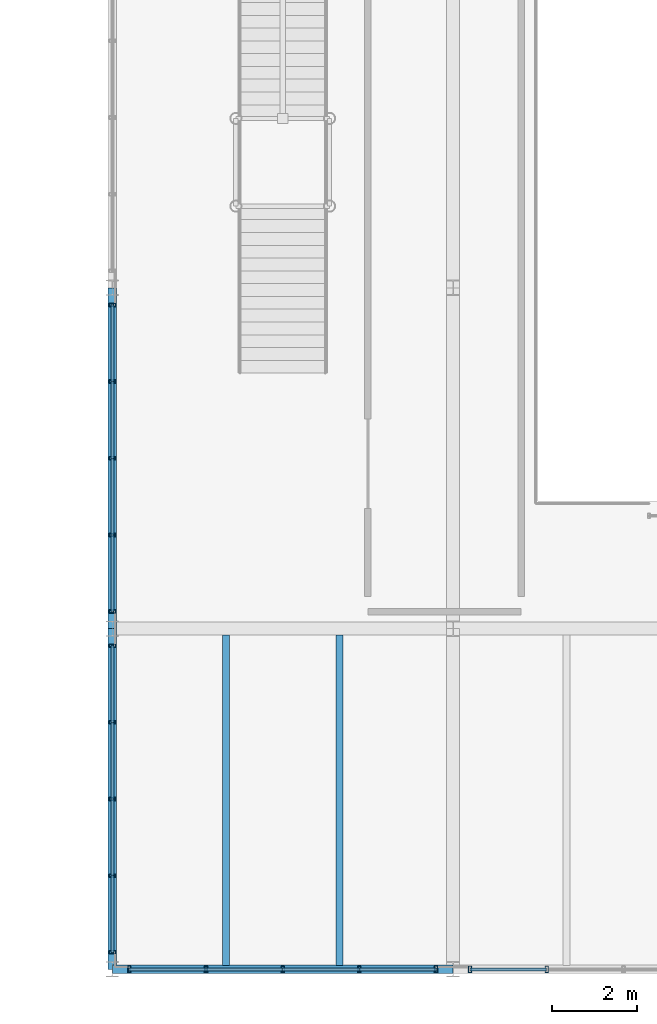
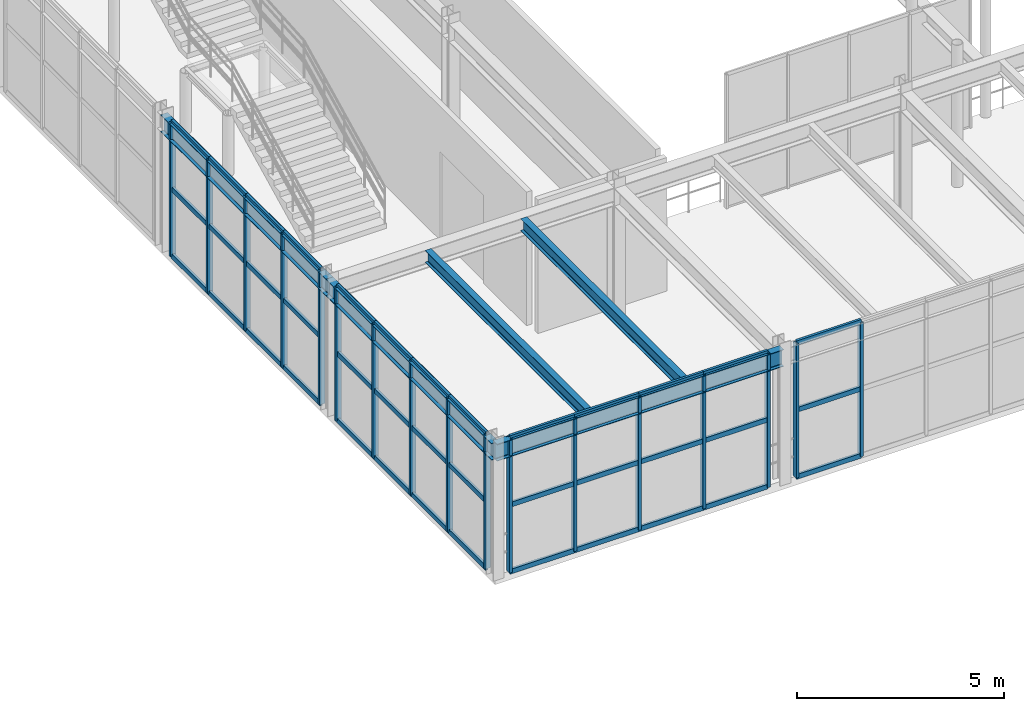
# One storey, part 20 of 122: 56 members, 5 beams, 4 elements without a shape of their own.
"""IFC4 building model written with IfcOpenShell, lengths in metres."""

import ifcopenshell
import ifcopenshell.guid

model = None  # the IFC model being written
_history = None  # IfcOwnerHistory: only IFC2X3 demands one
_inside = {}  # id of a spatial element -> (the spatial element, [elements in it])
_under = {}  # id of a project, library or spatial element -> (it, [spatial elements below it])
_declared = {}  # id of a project -> (the project, [libraries it declares])
_typed = {}  # id of a type object -> (the type object, [elements of that type])
_made_of = {}  # id of a material, layer set ... -> (it, [elements and type objects made of it])


def new_model(schema):
    """Start an empty IFC model of exactly this schema.

    Asked for "IFC4X3", IfcOpenShell would pick the latest addendum, in which some entities
    have other attributes; the version numbers below select the first issue.
    IFC2X3 requires an IfcOwnerHistory on every rooted entity: one is made here for all.
    """
    global model, _history
    if schema == "IFC4X3":
        model = ifcopenshell.file(schema_version=(4, 3, 0, 0))
    else:
        model = ifcopenshell.file(schema=schema)
    _inside.clear()
    _under.clear()
    _declared.clear()
    _typed.clear()
    _made_of.clear()
    _history = None
    if model.schema == "IFC2X3":
        org = make("IfcOrganization", Name="unknown")
        user = make(
            "IfcPersonAndOrganization",
            ThePerson=make("IfcPerson", FamilyName="unknown"),
            TheOrganization=org,
        )
        app = make(
            "IfcApplication",
            ApplicationDeveloper=org,
            Version="unknown",
            ApplicationFullName="unknown",
            ApplicationIdentifier="unknown",
        )
        _history = make(
            "IfcOwnerHistory",
            OwningUser=user,
            OwningApplication=app,
            ChangeAction="ADDED",
            CreationDate=0,
        )
    return model


def make(cls, **values):
    """One entity of the class cls with the attributes given. An attribute that is None is left unset."""
    return model.create_entity(
        cls, **{name: value for name, value in values.items() if value is not None}
    )


def rooted(cls, **values):
    """An entity with a GlobalId (a new one), such as an element, a storey or a relation."""
    return make(cls, GlobalId=ifcopenshell.guid.new(), OwnerHistory=_history, **values)


def si_unit(unit_type, name, prefix=None):
    """IfcSIUnit, for example si_unit("LENGTHUNIT", "METRE", prefix="MILLI")."""
    return make("IfcSIUnit", UnitType=unit_type, Prefix=prefix, Name=name)


def assignment(units):
    """IfcUnitAssignment: the units of a project."""
    return None if units is None else make("IfcUnitAssignment", Units=units)


def point(xyz):
    """IfcCartesianPoint."""
    return None if xyz is None else make("IfcCartesianPoint", Coordinates=xyz)


def direction(xyz):
    """IfcDirection."""
    return None if xyz is None else make("IfcDirection", DirectionRatios=xyz)


def frame(location, z_axis=None, x_axis=None):
    """IfcAxis2Placement3D, a coordinate frame: its origin and axes. An axis left out is left unset."""
    return make(
        "IfcAxis2Placement3D",
        Location=point(location),
        Axis=direction(z_axis),
        RefDirection=direction(x_axis),
    )


def frame_2d(location, x_axis=None):
    """IfcAxis2Placement2D, a coordinate frame in the plane: its origin and x axis."""
    return make(
        "IfcAxis2Placement2D", Location=point(location), RefDirection=direction(x_axis)
    )


def origin():
    """The frame at (0, 0, 0) with its axes left unset."""
    return frame((0.0, 0.0, 0.0))


def origin_2d():
    """The frame at (0, 0) in the plane with its x axis left unset."""
    return frame_2d((0.0, 0.0))


def place(relative_to, where):
    """IfcLocalPlacement: puts the frame where relative to a parent placement (None: the world)."""
    return make(
        "IfcLocalPlacement", PlacementRelTo=relative_to, RelativePlacement=where
    )


def context(
    kind, dimensions, precision=None, world=None, true_north=None, identifier=None
):
    """IfcGeometricRepresentationContext, for example the 3D "Model" context."""
    return make(
        "IfcGeometricRepresentationContext",
        ContextIdentifier=identifier,
        ContextType=kind,
        CoordinateSpaceDimension=dimensions,
        Precision=precision,
        WorldCoordinateSystem=world,
        TrueNorth=true_north,
    )


def subcontext(parent, identifier, kind, view, scale=None):
    """IfcGeometricRepresentationSubContext, for example "Body" below "Model"."""
    return make(
        "IfcGeometricRepresentationSubContext",
        ContextIdentifier=identifier,
        ContextType=kind,
        ParentContext=parent,
        TargetScale=scale,
        TargetView=view,
    )


def project(units=None, contexts=None):
    """IfcProject with its units and contexts."""
    return rooted(
        "IfcProject",
        Name="project",
        RepresentationContexts=contexts,
        UnitsInContext=assignment(units),
    )


def spatial(cls, under=None, at=None, **own):
    """A site, building, storey or space (cls), placed at a placement, below another one or the project."""
    s = rooted(cls, ObjectPlacement=at, **own)
    if under is not None:
        _under.setdefault(under.id(), (under, []))[1].append(s)
    return s


def profile(cls, at=None, kind="AREA", **sizes):
    """A parametric profile (cls). Its sizes go by their IFC names, for example OverallWidth=200.0."""
    return make(cls, ProfileType=kind, Position=at, **sizes)


def hollow_rectangle(**sizes):
    """IfcRectangleHollowProfileDef."""
    return profile("IfcRectangleHollowProfileDef", **sizes)


def i_section(**sizes):
    """IfcIShapeProfileDef."""
    return profile("IfcIShapeProfileDef", **sizes)


def extrude(swept, where, along, depth):
    """IfcExtrudedAreaSolid: the profile swept, set in the frame where, extruded along a direction by depth."""
    return make(
        "IfcExtrudedAreaSolid",
        SweptArea=swept,
        Position=where,
        ExtrudedDirection=direction(along),
        Depth=depth,
    )


def shape(context_of_items, identifier, shape_type, items):
    """IfcShapeRepresentation: the items that make up one representation, for example the "Body"."""
    return make(
        "IfcShapeRepresentation",
        ContextOfItems=context_of_items,
        RepresentationIdentifier=identifier,
        RepresentationType=shape_type,
        Items=items,
    )


def material(Name=None, Category=None):
    """IfcMaterial."""
    return make("IfcMaterial", Name=Name, Category=Category)


def material_profile(
    of_material, cross_section, Name=None, Category=None, Priority=None
):
    """IfcMaterialProfile: a cross section and its material."""
    return make(
        "IfcMaterialProfile",
        Name=Name,
        Material=of_material,
        Profile=cross_section,
        Priority=Priority,
        Category=Category,
    )


def profile_set(profiles, Name=None, composite=None):
    """IfcMaterialProfileSet."""
    return make(
        "IfcMaterialProfileSet",
        Name=Name,
        MaterialProfiles=profiles,
        CompositeProfile=composite,
    )


def made_of(thing, what):
    """Note that an element or type object is made of a material, layer set ...; save() writes the relation."""
    if what is not None:
        _made_of.setdefault(what.id(), (what, []))[1].append(thing)
    return thing


def type_object(cls, material=None, **own):
    """A type object (cls), such as IfcWallType, which elements share."""
    return made_of(rooted(cls, **own), material)


def element(
    cls,
    number,
    at=None,
    inside=None,
    cuts=None,
    type_object=None,
    material=None,
    context=None,
    identifier="Body",
    shape_type=None,
    held_by="IfcProductDefinitionShape",
    body=None,
    shapes=None,
    **own,
):
    """One element of the class cls, such as IfcWall. Its Tag is "e" and its number.

    at: its placement. inside: the storey or other place that contains it. cuts: it is an
    opening in that element (IfcRelVoidsElement). A single representation is given by context,
    identifier, shape_type and body (its items); several are given by shapes. held_by: the class
    of the entity that holds the representations. save() writes the other relations.
    """
    e = rooted(cls, Tag="e%d" % number, ObjectPlacement=at, **own)
    if body is not None:
        shapes = [shape(context, identifier, shape_type, body)]
    if shapes is not None:
        e.Representation = make(held_by, Representations=shapes)
    if inside is not None:
        _inside.setdefault(inside.id(), (inside, []))[1].append(e)
    if cuts is not None:
        rooted(
            "IfcRelVoidsElement", RelatingBuildingElement=cuts, RelatedOpeningElement=e
        )
    if type_object is not None:
        _typed.setdefault(type_object.id(), (type_object, []))[1].append(e)
    return made_of(e, material)


def aggregate(whole, parts):
    """IfcRelAggregates: a whole, such as a stair, and the parts it consists of."""
    return rooted("IfcRelAggregates", RelatingObject=whole, RelatedObjects=parts)


def save(model, path):
    """Write the relations noted so far, then the file.

    IfcRelAggregates (storeys below a building ...), IfcRelContainedInSpatialStructure (elements
    in a storey), IfcRelDefinesByType, IfcRelAssociatesMaterial and IfcRelDeclares: one each for
    every whole, place, type object, material and project.
    """
    for whole, parts in _under.values():
        aggregate(whole, parts)
    for where, things in _inside.values():
        rooted(
            "IfcRelContainedInSpatialStructure",
            RelatedElements=things,
            RelatingStructure=where,
        )
    for kind, things in _typed.values():
        rooted("IfcRelDefinesByType", RelatedObjects=things, RelatingType=kind)
    for what, things in _made_of.values():
        rooted("IfcRelAssociatesMaterial", RelatedObjects=things, RelatingMaterial=what)
    for by, libraries in _declared.values():
        rooted("IfcRelDeclares", RelatingContext=by, RelatedDefinitions=libraries)
    model.write(path)


model = new_model("IFC4")

# Units and contexts
model_context = context("Model", 3, precision=1e-05, world=origin(), true_north=direction((0.0, 1.0)))
body_context = subcontext(model_context, "Body", "Model", "MODEL_VIEW")
ifc_project = project(units=[si_unit("LENGTHUNIT", "METRE"), si_unit("AREAUNIT", "SQUARE_METRE"), si_unit("VOLUMEUNIT", "CUBIC_METRE"), si_unit("PLANEANGLEUNIT", "RADIAN"), si_unit("MASSUNIT", "GRAM", prefix="KILO")], contexts=[model_context])

# Site, building, storey
site_placement = place(None, origin())
site = spatial("IfcSite", under=ifc_project, at=site_placement, CompositionType="ELEMENT")
building_placement = place(site_placement, origin())
building = spatial("IfcBuilding", under=site, at=building_placement, Name="Sundkrona Museum", CompositionType="ELEMENT")
storey_placement = place(building_placement, frame((0.0, 0.0, 5.39990234375)))
storey = spatial("IfcBuildingStorey", under=building, at=storey_placement, Name="L01", CompositionType="ELEMENT", Elevation=5.39990234375)

# Beams
ifc_material_1 = material(Name="Steel S355J2", Category="steel")
ifc_material_profile_1 = material_profile(ifc_material_1, i_section(OverallWidth=0.169921875, OverallDepth=0.360107421875, WebThickness=0.008056640625, FlangeThickness=0.0126953125, FilletRadius=0.01806640625, at=origin_2d()), Name="IPE 360")
ifc_profile_set_1 = profile_set([ifc_material_profile_1], Name="Steel S355J2")
beam_type_1 = type_object("IfcBeamType", Name="J-IPE360", PredefinedType="JOIST", material=ifc_profile_set_1)
for number, where, z_axis, x_axis, name in (
    (1, (82.666748046875, 0.093994140625, 3.760009765625), (0.0, 1.0, 0.0), (-1.0, 0.0, 0.0), "L01 Composite Joist 0633"),
    (2, (85.333251953125, 0.093994140625, 3.760009765625), (0.0, 1.0, 0.0), (-1.0, 0.0, 0.0), "L01 Composite Joist 0634"),
):
    element("IfcBeam", number, at=place(storey_placement, frame(where, z_axis=z_axis, x_axis=x_axis)), inside=storey, type_object=beam_type_1, Name=name, PredefinedType="JOIST", context=body_context, shape_type="SweptSolid", body=[
        extrude(i_section(OverallWidth=0.169921875, OverallDepth=0.360107421875, WebThickness=0.008056640625, FlangeThickness=0.0126953125, FilletRadius=0.01806640625, at=origin_2d()), origin(), (0.0, 0.0, 1.0), 7.761962890625),
    ])

# Curtain wall, members
ifc_material_2 = material(Name="Unitised Aluminium-Steel and Ceramic-Clad Curtain Walling", Category="steel")
curtain_wall_type = type_object("IfcCurtainWallType", Name="CW-AT-72x38", PredefinedType="NOTDEFINED", material=ifc_material_2)
curtain_wall_1_placement = place(storey_placement, origin())
curtain_wall_1 = element("IfcCurtainWall", 3, at=curtain_wall_1_placement, inside=storey, type_object=curtain_wall_type, Name="L01 Curtain Wall CW-L01-028", PredefinedType="NOTDEFINED")
ifc_material_3 = material(Name="Aluminium EN AW-6060 T66", Category="aluminium")
ifc_material_profile_2 = material_profile(ifc_material_3, hollow_rectangle(XDim=0.074951171875, YDim=0.14990234375, WallThickness=0.00634765625, at=origin_2d()), Name="RHS 150x75x6.3")
ifc_profile_set_2 = profile_set([ifc_material_profile_2], Name="Aluminium EN AW-6060 T66")
member_type_1 = type_object("IfcMemberType", Name="ML-150", PredefinedType="MULLION", material=ifc_profile_set_2)
member_1_placement = place(storey_placement, frame((80.39990234375, 0.0, -0.00390625), z_axis=(0.0, 0.0, 1.0), x_axis=(1.0, 0.0, 0.0)))
member_1 = element("IfcMember", 4, at=member_1_placement, type_object=member_type_1, Name="CW-L01-028 Mullion 01", PredefinedType="MULLION", context=body_context, shape_type="SweptSolid", body=[
    extrude(hollow_rectangle(XDim=0.074951171875, YDim=0.14990234375, WallThickness=0.00634765625, at=origin_2d()), origin(), (0.0, 0.0, 1.0), 3.947998046875),
])
member_2_placement = place(storey_placement, frame((82.199951171875, 0.0, -0.00390625), z_axis=(0.0, 0.0, 1.0), x_axis=(1.0, 0.0, 0.0)))
member_2 = element("IfcMember", 5, at=member_2_placement, type_object=member_type_1, Name="CW-L01-028 Mullion 02", PredefinedType="MULLION", context=body_context, shape_type="SweptSolid", body=[
    extrude(hollow_rectangle(XDim=0.074951171875, YDim=0.14990234375, WallThickness=0.00634765625, at=origin_2d()), origin(), (0.0, 0.0, 1.0), 3.947998046875),
])
member_3_placement = place(storey_placement, frame((84.0, 0.0, -0.00390625), z_axis=(0.0, 0.0, 1.0), x_axis=(1.0, 0.0, 0.0)))
member_3 = element("IfcMember", 6, at=member_3_placement, type_object=member_type_1, Name="CW-L01-028 Mullion 03", PredefinedType="MULLION", context=body_context, shape_type="SweptSolid", body=[
    extrude(hollow_rectangle(XDim=0.074951171875, YDim=0.14990234375, WallThickness=0.00634765625, at=origin_2d()), origin(), (0.0, 0.0, 1.0), 3.947998046875),
])
member_4_placement = place(storey_placement, frame((85.800048828125, 0.0, -0.00390625), z_axis=(0.0, 0.0, 1.0), x_axis=(1.0, 0.0, 0.0)))
member_4 = element("IfcMember", 7, at=member_4_placement, type_object=member_type_1, Name="CW-L01-028 Mullion 04", PredefinedType="MULLION", context=body_context, shape_type="SweptSolid", body=[
    extrude(hollow_rectangle(XDim=0.074951171875, YDim=0.14990234375, WallThickness=0.00634765625, at=origin_2d()), origin(), (0.0, 0.0, 1.0), 3.947998046875),
])
member_5_placement = place(storey_placement, frame((87.60009765625, 0.0, -0.00390625), z_axis=(0.0, 0.0, 1.0), x_axis=(1.0, 0.0, 0.0)))
member_5 = element("IfcMember", 8, at=member_5_placement, type_object=member_type_1, Name="CW-L01-028 Mullion 05", PredefinedType="MULLION", context=body_context, shape_type="SweptSolid", body=[
    extrude(hollow_rectangle(XDim=0.074951171875, YDim=0.14990234375, WallThickness=0.00634765625, at=origin_2d()), origin(), (0.0, 0.0, 1.0), 3.947998046875),
])

curtain_wall_2_placement = place(storey_placement, origin())
curtain_wall_2 = element("IfcCurtainWall", 9, at=curtain_wall_2_placement, inside=storey, type_object=curtain_wall_type, Name="L01 Curtain Wall CW-L01-029", PredefinedType="NOTDEFINED")
member_6_placement = place(storey_placement, frame((88.39990234375, 0.0, -0.00390625), z_axis=(0.0, 0.0, 1.0), x_axis=(1.0, 0.0, 0.0)))
member_6 = element("IfcMember", 10, at=member_6_placement, type_object=member_type_1, Name="CW-L01-029 Mullion 01", PredefinedType="MULLION", context=body_context, shape_type="SweptSolid", body=[
    extrude(hollow_rectangle(XDim=0.074951171875, YDim=0.14990234375, WallThickness=0.00634765625, at=origin_2d()), origin(), (0.0, 0.0, 1.0), 3.947998046875),
])
member_7_placement = place(storey_placement, frame((90.199951171875, 0.0, -0.00390625), z_axis=(0.0, 0.0, 1.0), x_axis=(1.0, 0.0, 0.0)))
member_7 = element("IfcMember", 11, at=member_7_placement, type_object=member_type_1, Name="CW-L01-029 Mullion 02", PredefinedType="MULLION", context=body_context, shape_type="SweptSolid", body=[
    extrude(hollow_rectangle(XDim=0.074951171875, YDim=0.14990234375, WallThickness=0.00634765625, at=origin_2d()), origin(), (0.0, 0.0, 1.0), 3.947998046875),
])

curtain_wall_3_placement = place(storey_placement, origin())
curtain_wall_3 = element("IfcCurtainWall", 12, at=curtain_wall_3_placement, inside=storey, type_object=curtain_wall_type, Name="L01 Curtain Wall CW-L01-033", PredefinedType="NOTDEFINED")
member_8_placement = place(storey_placement, frame((80.0, 0.39990234375, -0.00390625), z_axis=(0.0, 0.0, 1.0), x_axis=(0.0, 1.0, 0.0)))
member_8 = element("IfcMember", 13, at=member_8_placement, type_object=member_type_1, Name="CW-L01-033 Mullion 01", PredefinedType="MULLION", context=body_context, shape_type="SweptSolid", body=[
    extrude(hollow_rectangle(XDim=0.074951171875, YDim=0.14990234375, WallThickness=0.00634765625, at=origin_2d()), origin(), (0.0, 0.0, 1.0), 3.947998046875),
])
member_9_placement = place(storey_placement, frame((80.0, 2.199951171875, -0.00390625), z_axis=(0.0, 0.0, 1.0), x_axis=(0.0, 1.0, 0.0)))
member_9 = element("IfcMember", 14, at=member_9_placement, type_object=member_type_1, Name="CW-L01-033 Mullion 02", PredefinedType="MULLION", context=body_context, shape_type="SweptSolid", body=[
    extrude(hollow_rectangle(XDim=0.074951171875, YDim=0.14990234375, WallThickness=0.00634765625, at=origin_2d()), origin(), (0.0, 0.0, 1.0), 3.947998046875),
])
member_10_placement = place(storey_placement, frame((80.0, 4.0, -0.00390625), z_axis=(0.0, 0.0, 1.0), x_axis=(0.0, 1.0, 0.0)))
member_10 = element("IfcMember", 15, at=member_10_placement, type_object=member_type_1, Name="CW-L01-033 Mullion 03", PredefinedType="MULLION", context=body_context, shape_type="SweptSolid", body=[
    extrude(hollow_rectangle(XDim=0.074951171875, YDim=0.14990234375, WallThickness=0.00634765625, at=origin_2d()), origin(), (0.0, 0.0, 1.0), 3.947998046875),
])
member_11_placement = place(storey_placement, frame((80.0, 5.800048828125, -0.00390625), z_axis=(0.0, 0.0, 1.0), x_axis=(0.0, 1.0, 0.0)))
member_11 = element("IfcMember", 16, at=member_11_placement, type_object=member_type_1, Name="CW-L01-033 Mullion 04", PredefinedType="MULLION", context=body_context, shape_type="SweptSolid", body=[
    extrude(hollow_rectangle(XDim=0.074951171875, YDim=0.14990234375, WallThickness=0.00634765625, at=origin_2d()), origin(), (0.0, 0.0, 1.0), 3.947998046875),
])
member_12_placement = place(storey_placement, frame((80.0, 7.60009765625, -0.00390625), z_axis=(0.0, 0.0, 1.0), x_axis=(0.0, 1.0, 0.0)))
member_12 = element("IfcMember", 17, at=member_12_placement, type_object=member_type_1, Name="CW-L01-033 Mullion 05", PredefinedType="MULLION", context=body_context, shape_type="SweptSolid", body=[
    extrude(hollow_rectangle(XDim=0.074951171875, YDim=0.14990234375, WallThickness=0.00634765625, at=origin_2d()), origin(), (0.0, 0.0, 1.0), 3.947998046875),
])

curtain_wall_4_placement = place(storey_placement, origin())
curtain_wall_4 = element("IfcCurtainWall", 18, at=curtain_wall_4_placement, inside=storey, type_object=curtain_wall_type, Name="L01 Curtain Wall CW-L01-034", PredefinedType="NOTDEFINED")
member_13_placement = place(storey_placement, frame((80.0, 8.39990234375, -0.00390625), z_axis=(0.0, 0.0, 1.0), x_axis=(0.0, 1.0, 0.0)))
member_13 = element("IfcMember", 19, at=member_13_placement, type_object=member_type_1, Name="CW-L01-034 Mullion 01", PredefinedType="MULLION", context=body_context, shape_type="SweptSolid", body=[
    extrude(hollow_rectangle(XDim=0.074951171875, YDim=0.14990234375, WallThickness=0.00634765625, at=origin_2d()), origin(), (0.0, 0.0, 1.0), 3.947998046875),
])
member_14_placement = place(storey_placement, frame((80.0, 10.199951171875, -0.00390625), z_axis=(0.0, 0.0, 1.0), x_axis=(0.0, 1.0, 0.0)))
member_14 = element("IfcMember", 20, at=member_14_placement, type_object=member_type_1, Name="CW-L01-034 Mullion 02", PredefinedType="MULLION", context=body_context, shape_type="SweptSolid", body=[
    extrude(hollow_rectangle(XDim=0.074951171875, YDim=0.14990234375, WallThickness=0.00634765625, at=origin_2d()), origin(), (0.0, 0.0, 1.0), 3.947998046875),
])
member_15_placement = place(storey_placement, frame((80.0, 12.0, -0.00390625), z_axis=(0.0, 0.0, 1.0), x_axis=(0.0, 1.0, 0.0)))
member_15 = element("IfcMember", 21, at=member_15_placement, type_object=member_type_1, Name="CW-L01-034 Mullion 03", PredefinedType="MULLION", context=body_context, shape_type="SweptSolid", body=[
    extrude(hollow_rectangle(XDim=0.074951171875, YDim=0.14990234375, WallThickness=0.00634765625, at=origin_2d()), origin(), (0.0, 0.0, 1.0), 3.947998046875),
])
member_16_placement = place(storey_placement, frame((80.0, 13.800048828125, -0.00390625), z_axis=(0.0, 0.0, 1.0), x_axis=(0.0, 1.0, 0.0)))
member_16 = element("IfcMember", 22, at=member_16_placement, type_object=member_type_1, Name="CW-L01-034 Mullion 04", PredefinedType="MULLION", context=body_context, shape_type="SweptSolid", body=[
    extrude(hollow_rectangle(XDim=0.074951171875, YDim=0.14990234375, WallThickness=0.00634765625, at=origin_2d()), origin(), (0.0, 0.0, 1.0), 3.947998046875),
])
member_17_placement = place(storey_placement, frame((80.0, 15.60009765625, -0.00390625), z_axis=(0.0, 0.0, 1.0), x_axis=(0.0, 1.0, 0.0)))
member_17 = element("IfcMember", 23, at=member_17_placement, type_object=member_type_1, Name="CW-L01-034 Mullion 05", PredefinedType="MULLION", context=body_context, shape_type="SweptSolid", body=[
    extrude(hollow_rectangle(XDim=0.074951171875, YDim=0.14990234375, WallThickness=0.00634765625, at=origin_2d()), origin(), (0.0, 0.0, 1.0), 3.947998046875),
])

# Beams
ifc_material_profile_3 = material_profile(ifc_material_1, i_section(OverallWidth=0.199951171875, OverallDepth=0.5, WebThickness=0.01025390625, FlangeThickness=0.01611328125, FilletRadius=0.02099609375, at=origin_2d()), Name="IPE 500")
ifc_profile_set_3 = profile_set([ifc_material_profile_3], Name="Steel S355J2")
beam_type_2 = type_object("IfcBeamType", Name="SP-IPE500", PredefinedType="SPANDREL", material=ifc_profile_set_3)
for number, where, z_axis, x_axis, name in (
    (24, (80.0, 0.0, 3.690185546875), (1.0, 0.0, 0.0), (0.0, 1.0, 0.0), "L01 Girder X-0808"),
    (25, (80.0, 0.0, 3.690185546875), (0.0, 1.0, 0.0), (-1.0, 0.0, 0.0), "L01 Girder Y-1009"),
    (26, (80.0, 8.0, 3.690185546875), (0.0, 1.0, 0.0), (-1.0, 0.0, 0.0), "L01 Girder Y-1010"),
):
    element("IfcBeam", number, at=place(storey_placement, frame(where, z_axis=z_axis, x_axis=x_axis)), inside=storey, type_object=beam_type_2, Name=name, PredefinedType="SPANDREL", context=body_context, shape_type="SweptSolid", body=[
        extrude(i_section(OverallWidth=0.199951171875, OverallDepth=0.5, WebThickness=0.01025390625, FlangeThickness=0.01611328125, FilletRadius=0.02099609375, at=origin_2d()), origin(), (0.0, 0.0, 1.0), 8.0),
    ])

# Member
ifc_material_profile_4 = material_profile(ifc_material_3, hollow_rectangle(XDim=0.070068359375, YDim=0.139892578125, WallThickness=0.0048828125, at=origin_2d()), Name="RHS 140x70x5.0")
ifc_profile_set_4 = profile_set([ifc_material_profile_4], Name="Aluminium EN AW-6060 T66")
member_type_2 = type_object("IfcMemberType", Name="TR-140", PredefinedType="USERDEFINED", material=ifc_profile_set_4)
member_18_placement = place(storey_placement, frame((80.39990234375, 0.0, -0.00390625), z_axis=(1.0, 0.0, 0.0), x_axis=(0.0, 1.0, 0.0)))
member_18 = element("IfcMember", 27, at=member_18_placement, type_object=member_type_2, Name="CW-L01-028 Transom 01", ObjectType="TRANSOM", PredefinedType="USERDEFINED", context=body_context, shape_type="SweptSolid", body=[
    extrude(hollow_rectangle(XDim=0.070068359375, YDim=0.139892578125, WallThickness=0.0048828125, at=origin_2d()), origin(), (0.0, 0.0, 1.0), 1.800048828125),
])

member_19_placement = place(storey_placement, frame((80.39990234375, 0.0, 1.97021484375), z_axis=(1.0, 0.0, 0.0), x_axis=(0.0, 1.0, 0.0)))
member_19 = element("IfcMember", 28, at=member_19_placement, type_object=member_type_2, Name="CW-L01-028 Transom 02", ObjectType="TRANSOM", PredefinedType="USERDEFINED", context=body_context, shape_type="SweptSolid", body=[
    extrude(hollow_rectangle(XDim=0.070068359375, YDim=0.139892578125, WallThickness=0.0048828125, at=origin_2d()), origin(), (0.0, 0.0, 1.0), 1.800048828125),
])

member_20_placement = place(storey_placement, frame((80.39990234375, 0.0, 3.944091796875), z_axis=(1.0, 0.0, 0.0), x_axis=(0.0, 1.0, 0.0)))
member_20 = element("IfcMember", 29, at=member_20_placement, type_object=member_type_2, Name="CW-L01-028 Transom 03", ObjectType="TRANSOM", PredefinedType="USERDEFINED", context=body_context, shape_type="SweptSolid", body=[
    extrude(hollow_rectangle(XDim=0.070068359375, YDim=0.139892578125, WallThickness=0.0048828125, at=origin_2d()), origin(), (0.0, 0.0, 1.0), 1.800048828125),
])

member_21_placement = place(storey_placement, frame((82.199951171875, 0.0, -0.00390625), z_axis=(1.0, 0.0, 0.0), x_axis=(0.0, 1.0, 0.0)))
member_21 = element("IfcMember", 30, at=member_21_placement, type_object=member_type_2, Name="CW-L01-028 Transom 04", ObjectType="TRANSOM", PredefinedType="USERDEFINED", context=body_context, shape_type="SweptSolid", body=[
    extrude(hollow_rectangle(XDim=0.070068359375, YDim=0.139892578125, WallThickness=0.0048828125, at=origin_2d()), origin(), (0.0, 0.0, 1.0), 1.800048828125),
])

member_22_placement = place(storey_placement, frame((82.199951171875, 0.0, 1.97021484375), z_axis=(1.0, 0.0, 0.0), x_axis=(0.0, 1.0, 0.0)))
member_22 = element("IfcMember", 31, at=member_22_placement, type_object=member_type_2, Name="CW-L01-028 Transom 05", ObjectType="TRANSOM", PredefinedType="USERDEFINED", context=body_context, shape_type="SweptSolid", body=[
    extrude(hollow_rectangle(XDim=0.070068359375, YDim=0.139892578125, WallThickness=0.0048828125, at=origin_2d()), origin(), (0.0, 0.0, 1.0), 1.800048828125),
])

member_23_placement = place(storey_placement, frame((82.199951171875, 0.0, 3.944091796875), z_axis=(1.0, 0.0, 0.0), x_axis=(0.0, 1.0, 0.0)))
member_23 = element("IfcMember", 32, at=member_23_placement, type_object=member_type_2, Name="CW-L01-028 Transom 06", ObjectType="TRANSOM", PredefinedType="USERDEFINED", context=body_context, shape_type="SweptSolid", body=[
    extrude(hollow_rectangle(XDim=0.070068359375, YDim=0.139892578125, WallThickness=0.0048828125, at=origin_2d()), origin(), (0.0, 0.0, 1.0), 1.800048828125),
])

member_24_placement = place(storey_placement, frame((84.0, 0.0, -0.00390625), z_axis=(1.0, 0.0, 0.0), x_axis=(0.0, 1.0, 0.0)))
member_24 = element("IfcMember", 33, at=member_24_placement, type_object=member_type_2, Name="CW-L01-028 Transom 07", ObjectType="TRANSOM", PredefinedType="USERDEFINED", context=body_context, shape_type="SweptSolid", body=[
    extrude(hollow_rectangle(XDim=0.070068359375, YDim=0.139892578125, WallThickness=0.0048828125, at=origin_2d()), origin(), (0.0, 0.0, 1.0), 1.800048828125),
])

member_25_placement = place(storey_placement, frame((84.0, 0.0, 1.97021484375), z_axis=(1.0, 0.0, 0.0), x_axis=(0.0, 1.0, 0.0)))
member_25 = element("IfcMember", 34, at=member_25_placement, type_object=member_type_2, Name="CW-L01-028 Transom 08", ObjectType="TRANSOM", PredefinedType="USERDEFINED", context=body_context, shape_type="SweptSolid", body=[
    extrude(hollow_rectangle(XDim=0.070068359375, YDim=0.139892578125, WallThickness=0.0048828125, at=origin_2d()), origin(), (0.0, 0.0, 1.0), 1.800048828125),
])

member_26_placement = place(storey_placement, frame((84.0, 0.0, 3.944091796875), z_axis=(1.0, 0.0, 0.0), x_axis=(0.0, 1.0, 0.0)))
member_26 = element("IfcMember", 35, at=member_26_placement, type_object=member_type_2, Name="CW-L01-028 Transom 09", ObjectType="TRANSOM", PredefinedType="USERDEFINED", context=body_context, shape_type="SweptSolid", body=[
    extrude(hollow_rectangle(XDim=0.070068359375, YDim=0.139892578125, WallThickness=0.0048828125, at=origin_2d()), origin(), (0.0, 0.0, 1.0), 1.800048828125),
])

member_27_placement = place(storey_placement, frame((85.800048828125, 0.0, -0.00390625), z_axis=(1.0, 0.0, 0.0), x_axis=(0.0, 1.0, 0.0)))
member_27 = element("IfcMember", 36, at=member_27_placement, type_object=member_type_2, Name="CW-L01-028 Transom 10", ObjectType="TRANSOM", PredefinedType="USERDEFINED", context=body_context, shape_type="SweptSolid", body=[
    extrude(hollow_rectangle(XDim=0.070068359375, YDim=0.139892578125, WallThickness=0.0048828125, at=origin_2d()), origin(), (0.0, 0.0, 1.0), 1.800048828125),
])

member_28_placement = place(storey_placement, frame((85.800048828125, 0.0, 1.97021484375), z_axis=(1.0, 0.0, 0.0), x_axis=(0.0, 1.0, 0.0)))
member_28 = element("IfcMember", 37, at=member_28_placement, type_object=member_type_2, Name="CW-L01-028 Transom 11", ObjectType="TRANSOM", PredefinedType="USERDEFINED", context=body_context, shape_type="SweptSolid", body=[
    extrude(hollow_rectangle(XDim=0.070068359375, YDim=0.139892578125, WallThickness=0.0048828125, at=origin_2d()), origin(), (0.0, 0.0, 1.0), 1.800048828125),
])

member_29_placement = place(storey_placement, frame((85.800048828125, 0.0, 3.944091796875), z_axis=(1.0, 0.0, 0.0), x_axis=(0.0, 1.0, 0.0)))
member_29 = element("IfcMember", 38, at=member_29_placement, type_object=member_type_2, Name="CW-L01-028 Transom 12", ObjectType="TRANSOM", PredefinedType="USERDEFINED", context=body_context, shape_type="SweptSolid", body=[
    extrude(hollow_rectangle(XDim=0.070068359375, YDim=0.139892578125, WallThickness=0.0048828125, at=origin_2d()), origin(), (0.0, 0.0, 1.0), 1.800048828125),
])

aggregate(curtain_wall_1, [member_1, member_2, member_3, member_4, member_5, member_18, member_19, member_20, member_21, member_22, member_23, member_24, member_25, member_26, member_27, member_28, member_29])

member_30_placement = place(storey_placement, frame((88.39990234375, 0.0, -0.00390625), z_axis=(1.0, 0.0, 0.0), x_axis=(0.0, 1.0, 0.0)))
member_30 = element("IfcMember", 39, at=member_30_placement, type_object=member_type_2, Name="CW-L01-029 Transom 01", ObjectType="TRANSOM", PredefinedType="USERDEFINED", context=body_context, shape_type="SweptSolid", body=[
    extrude(hollow_rectangle(XDim=0.070068359375, YDim=0.139892578125, WallThickness=0.0048828125, at=origin_2d()), origin(), (0.0, 0.0, 1.0), 1.800048828125),
])

member_31_placement = place(storey_placement, frame((88.39990234375, 0.0, 1.97021484375), z_axis=(1.0, 0.0, 0.0), x_axis=(0.0, 1.0, 0.0)))
member_31 = element("IfcMember", 40, at=member_31_placement, type_object=member_type_2, Name="CW-L01-029 Transom 02", ObjectType="TRANSOM", PredefinedType="USERDEFINED", context=body_context, shape_type="SweptSolid", body=[
    extrude(hollow_rectangle(XDim=0.070068359375, YDim=0.139892578125, WallThickness=0.0048828125, at=origin_2d()), origin(), (0.0, 0.0, 1.0), 1.800048828125),
])

member_32_placement = place(storey_placement, frame((88.39990234375, 0.0, 3.944091796875), z_axis=(1.0, 0.0, 0.0), x_axis=(0.0, 1.0, 0.0)))
member_32 = element("IfcMember", 41, at=member_32_placement, type_object=member_type_2, Name="CW-L01-029 Transom 03", ObjectType="TRANSOM", PredefinedType="USERDEFINED", context=body_context, shape_type="SweptSolid", body=[
    extrude(hollow_rectangle(XDim=0.070068359375, YDim=0.139892578125, WallThickness=0.0048828125, at=origin_2d()), origin(), (0.0, 0.0, 1.0), 1.800048828125),
])

aggregate(curtain_wall_2, [member_6, member_7, member_30, member_31, member_32])

member_33_placement = place(storey_placement, frame((80.0, 0.39990234375, -0.00390625), z_axis=(0.0, 1.0, 0.0), x_axis=(-1.0, 0.0, 0.0)))
member_33 = element("IfcMember", 42, at=member_33_placement, type_object=member_type_2, Name="CW-L01-033 Transom 01", ObjectType="TRANSOM", PredefinedType="USERDEFINED", context=body_context, shape_type="SweptSolid", body=[
    extrude(hollow_rectangle(XDim=0.070068359375, YDim=0.139892578125, WallThickness=0.0048828125, at=origin_2d()), origin(), (0.0, 0.0, 1.0), 1.800048828125),
])

member_34_placement = place(storey_placement, frame((80.0, 0.39990234375, 1.97021484375), z_axis=(0.0, 1.0, 0.0), x_axis=(-1.0, 0.0, 0.0)))
member_34 = element("IfcMember", 43, at=member_34_placement, type_object=member_type_2, Name="CW-L01-033 Transom 02", ObjectType="TRANSOM", PredefinedType="USERDEFINED", context=body_context, shape_type="SweptSolid", body=[
    extrude(hollow_rectangle(XDim=0.070068359375, YDim=0.139892578125, WallThickness=0.0048828125, at=origin_2d()), origin(), (0.0, 0.0, 1.0), 1.800048828125),
])

member_35_placement = place(storey_placement, frame((80.0, 0.39990234375, 3.944091796875), z_axis=(0.0, 1.0, 0.0), x_axis=(-1.0, 0.0, 0.0)))
member_35 = element("IfcMember", 44, at=member_35_placement, type_object=member_type_2, Name="CW-L01-033 Transom 03", ObjectType="TRANSOM", PredefinedType="USERDEFINED", context=body_context, shape_type="SweptSolid", body=[
    extrude(hollow_rectangle(XDim=0.070068359375, YDim=0.139892578125, WallThickness=0.0048828125, at=origin_2d()), origin(), (0.0, 0.0, 1.0), 1.800048828125),
])

member_36_placement = place(storey_placement, frame((80.0, 2.199951171875, -0.00390625), z_axis=(0.0, 1.0, 0.0), x_axis=(-1.0, 0.0, 0.0)))
member_36 = element("IfcMember", 45, at=member_36_placement, type_object=member_type_2, Name="CW-L01-033 Transom 04", ObjectType="TRANSOM", PredefinedType="USERDEFINED", context=body_context, shape_type="SweptSolid", body=[
    extrude(hollow_rectangle(XDim=0.070068359375, YDim=0.139892578125, WallThickness=0.0048828125, at=origin_2d()), origin(), (0.0, 0.0, 1.0), 1.800048828125),
])

member_37_placement = place(storey_placement, frame((80.0, 2.199951171875, 1.97021484375), z_axis=(0.0, 1.0, 0.0), x_axis=(-1.0, 0.0, 0.0)))
member_37 = element("IfcMember", 46, at=member_37_placement, type_object=member_type_2, Name="CW-L01-033 Transom 05", ObjectType="TRANSOM", PredefinedType="USERDEFINED", context=body_context, shape_type="SweptSolid", body=[
    extrude(hollow_rectangle(XDim=0.070068359375, YDim=0.139892578125, WallThickness=0.0048828125, at=origin_2d()), origin(), (0.0, 0.0, 1.0), 1.800048828125),
])

member_38_placement = place(storey_placement, frame((80.0, 2.199951171875, 3.944091796875), z_axis=(0.0, 1.0, 0.0), x_axis=(-1.0, 0.0, 0.0)))
member_38 = element("IfcMember", 47, at=member_38_placement, type_object=member_type_2, Name="CW-L01-033 Transom 06", ObjectType="TRANSOM", PredefinedType="USERDEFINED", context=body_context, shape_type="SweptSolid", body=[
    extrude(hollow_rectangle(XDim=0.070068359375, YDim=0.139892578125, WallThickness=0.0048828125, at=origin_2d()), origin(), (0.0, 0.0, 1.0), 1.800048828125),
])

member_39_placement = place(storey_placement, frame((80.0, 4.0, -0.00390625), z_axis=(0.0, 1.0, 0.0), x_axis=(-1.0, 0.0, 0.0)))
member_39 = element("IfcMember", 48, at=member_39_placement, type_object=member_type_2, Name="CW-L01-033 Transom 07", ObjectType="TRANSOM", PredefinedType="USERDEFINED", context=body_context, shape_type="SweptSolid", body=[
    extrude(hollow_rectangle(XDim=0.070068359375, YDim=0.139892578125, WallThickness=0.0048828125, at=origin_2d()), origin(), (0.0, 0.0, 1.0), 1.800048828125),
])

member_40_placement = place(storey_placement, frame((80.0, 4.0, 1.97021484375), z_axis=(0.0, 1.0, 0.0), x_axis=(-1.0, 0.0, 0.0)))
member_40 = element("IfcMember", 49, at=member_40_placement, type_object=member_type_2, Name="CW-L01-033 Transom 08", ObjectType="TRANSOM", PredefinedType="USERDEFINED", context=body_context, shape_type="SweptSolid", body=[
    extrude(hollow_rectangle(XDim=0.070068359375, YDim=0.139892578125, WallThickness=0.0048828125, at=origin_2d()), origin(), (0.0, 0.0, 1.0), 1.800048828125),
])

member_41_placement = place(storey_placement, frame((80.0, 4.0, 3.944091796875), z_axis=(0.0, 1.0, 0.0), x_axis=(-1.0, 0.0, 0.0)))
member_41 = element("IfcMember", 50, at=member_41_placement, type_object=member_type_2, Name="CW-L01-033 Transom 09", ObjectType="TRANSOM", PredefinedType="USERDEFINED", context=body_context, shape_type="SweptSolid", body=[
    extrude(hollow_rectangle(XDim=0.070068359375, YDim=0.139892578125, WallThickness=0.0048828125, at=origin_2d()), origin(), (0.0, 0.0, 1.0), 1.800048828125),
])

member_42_placement = place(storey_placement, frame((80.0, 5.800048828125, -0.00390625), z_axis=(0.0, 1.0, 0.0), x_axis=(-1.0, 0.0, 0.0)))
member_42 = element("IfcMember", 51, at=member_42_placement, type_object=member_type_2, Name="CW-L01-033 Transom 10", ObjectType="TRANSOM", PredefinedType="USERDEFINED", context=body_context, shape_type="SweptSolid", body=[
    extrude(hollow_rectangle(XDim=0.070068359375, YDim=0.139892578125, WallThickness=0.0048828125, at=origin_2d()), origin(), (0.0, 0.0, 1.0), 1.800048828125),
])

member_43_placement = place(storey_placement, frame((80.0, 5.800048828125, 1.97021484375), z_axis=(0.0, 1.0, 0.0), x_axis=(-1.0, 0.0, 0.0)))
member_43 = element("IfcMember", 52, at=member_43_placement, type_object=member_type_2, Name="CW-L01-033 Transom 11", ObjectType="TRANSOM", PredefinedType="USERDEFINED", context=body_context, shape_type="SweptSolid", body=[
    extrude(hollow_rectangle(XDim=0.070068359375, YDim=0.139892578125, WallThickness=0.0048828125, at=origin_2d()), origin(), (0.0, 0.0, 1.0), 1.800048828125),
])

member_44_placement = place(storey_placement, frame((80.0, 5.800048828125, 3.944091796875), z_axis=(0.0, 1.0, 0.0), x_axis=(-1.0, 0.0, 0.0)))
member_44 = element("IfcMember", 53, at=member_44_placement, type_object=member_type_2, Name="CW-L01-033 Transom 12", ObjectType="TRANSOM", PredefinedType="USERDEFINED", context=body_context, shape_type="SweptSolid", body=[
    extrude(hollow_rectangle(XDim=0.070068359375, YDim=0.139892578125, WallThickness=0.0048828125, at=origin_2d()), origin(), (0.0, 0.0, 1.0), 1.800048828125),
])

aggregate(curtain_wall_3, [member_8, member_9, member_10, member_11, member_12, member_33, member_34, member_35, member_36, member_37, member_38, member_39, member_40, member_41, member_42, member_43, member_44])

member_45_placement = place(storey_placement, frame((80.0, 8.39990234375, -0.00390625), z_axis=(0.0, 1.0, 0.0), x_axis=(-1.0, 0.0, 0.0)))
member_45 = element("IfcMember", 54, at=member_45_placement, type_object=member_type_2, Name="CW-L01-034 Transom 01", ObjectType="TRANSOM", PredefinedType="USERDEFINED", context=body_context, shape_type="SweptSolid", body=[
    extrude(hollow_rectangle(XDim=0.070068359375, YDim=0.139892578125, WallThickness=0.0048828125, at=origin_2d()), origin(), (0.0, 0.0, 1.0), 1.800048828125),
])

member_46_placement = place(storey_placement, frame((80.0, 8.39990234375, 1.97021484375), z_axis=(0.0, 1.0, 0.0), x_axis=(-1.0, 0.0, 0.0)))
member_46 = element("IfcMember", 55, at=member_46_placement, type_object=member_type_2, Name="CW-L01-034 Transom 02", ObjectType="TRANSOM", PredefinedType="USERDEFINED", context=body_context, shape_type="SweptSolid", body=[
    extrude(hollow_rectangle(XDim=0.070068359375, YDim=0.139892578125, WallThickness=0.0048828125, at=origin_2d()), origin(), (0.0, 0.0, 1.0), 1.800048828125),
])

member_47_placement = place(storey_placement, frame((80.0, 8.39990234375, 3.944091796875), z_axis=(0.0, 1.0, 0.0), x_axis=(-1.0, 0.0, 0.0)))
member_47 = element("IfcMember", 56, at=member_47_placement, type_object=member_type_2, Name="CW-L01-034 Transom 03", ObjectType="TRANSOM", PredefinedType="USERDEFINED", context=body_context, shape_type="SweptSolid", body=[
    extrude(hollow_rectangle(XDim=0.070068359375, YDim=0.139892578125, WallThickness=0.0048828125, at=origin_2d()), origin(), (0.0, 0.0, 1.0), 1.800048828125),
])

member_48_placement = place(storey_placement, frame((80.0, 10.199951171875, -0.00390625), z_axis=(0.0, 1.0, 0.0), x_axis=(-1.0, 0.0, 0.0)))
member_48 = element("IfcMember", 57, at=member_48_placement, type_object=member_type_2, Name="CW-L01-034 Transom 04", ObjectType="TRANSOM", PredefinedType="USERDEFINED", context=body_context, shape_type="SweptSolid", body=[
    extrude(hollow_rectangle(XDim=0.070068359375, YDim=0.139892578125, WallThickness=0.0048828125, at=origin_2d()), origin(), (0.0, 0.0, 1.0), 1.800048828125),
])

member_49_placement = place(storey_placement, frame((80.0, 10.199951171875, 1.97021484375), z_axis=(0.0, 1.0, 0.0), x_axis=(-1.0, 0.0, 0.0)))
member_49 = element("IfcMember", 58, at=member_49_placement, type_object=member_type_2, Name="CW-L01-034 Transom 05", ObjectType="TRANSOM", PredefinedType="USERDEFINED", context=body_context, shape_type="SweptSolid", body=[
    extrude(hollow_rectangle(XDim=0.070068359375, YDim=0.139892578125, WallThickness=0.0048828125, at=origin_2d()), origin(), (0.0, 0.0, 1.0), 1.800048828125),
])

member_50_placement = place(storey_placement, frame((80.0, 10.199951171875, 3.944091796875), z_axis=(0.0, 1.0, 0.0), x_axis=(-1.0, 0.0, 0.0)))
member_50 = element("IfcMember", 59, at=member_50_placement, type_object=member_type_2, Name="CW-L01-034 Transom 06", ObjectType="TRANSOM", PredefinedType="USERDEFINED", context=body_context, shape_type="SweptSolid", body=[
    extrude(hollow_rectangle(XDim=0.070068359375, YDim=0.139892578125, WallThickness=0.0048828125, at=origin_2d()), origin(), (0.0, 0.0, 1.0), 1.800048828125),
])

member_51_placement = place(storey_placement, frame((80.0, 12.0, -0.00390625), z_axis=(0.0, 1.0, 0.0), x_axis=(-1.0, 0.0, 0.0)))
member_51 = element("IfcMember", 60, at=member_51_placement, type_object=member_type_2, Name="CW-L01-034 Transom 07", ObjectType="TRANSOM", PredefinedType="USERDEFINED", context=body_context, shape_type="SweptSolid", body=[
    extrude(hollow_rectangle(XDim=0.070068359375, YDim=0.139892578125, WallThickness=0.0048828125, at=origin_2d()), origin(), (0.0, 0.0, 1.0), 1.800048828125),
])

member_52_placement = place(storey_placement, frame((80.0, 12.0, 1.97021484375), z_axis=(0.0, 1.0, 0.0), x_axis=(-1.0, 0.0, 0.0)))
member_52 = element("IfcMember", 61, at=member_52_placement, type_object=member_type_2, Name="CW-L01-034 Transom 08", ObjectType="TRANSOM", PredefinedType="USERDEFINED", context=body_context, shape_type="SweptSolid", body=[
    extrude(hollow_rectangle(XDim=0.070068359375, YDim=0.139892578125, WallThickness=0.0048828125, at=origin_2d()), origin(), (0.0, 0.0, 1.0), 1.800048828125),
])

member_53_placement = place(storey_placement, frame((80.0, 12.0, 3.944091796875), z_axis=(0.0, 1.0, 0.0), x_axis=(-1.0, 0.0, 0.0)))
member_53 = element("IfcMember", 62, at=member_53_placement, type_object=member_type_2, Name="CW-L01-034 Transom 09", ObjectType="TRANSOM", PredefinedType="USERDEFINED", context=body_context, shape_type="SweptSolid", body=[
    extrude(hollow_rectangle(XDim=0.070068359375, YDim=0.139892578125, WallThickness=0.0048828125, at=origin_2d()), origin(), (0.0, 0.0, 1.0), 1.800048828125),
])

member_54_placement = place(storey_placement, frame((80.0, 13.800048828125, -0.00390625), z_axis=(0.0, 1.0, 0.0), x_axis=(-1.0, 0.0, 0.0)))
member_54 = element("IfcMember", 63, at=member_54_placement, type_object=member_type_2, Name="CW-L01-034 Transom 10", ObjectType="TRANSOM", PredefinedType="USERDEFINED", context=body_context, shape_type="SweptSolid", body=[
    extrude(hollow_rectangle(XDim=0.070068359375, YDim=0.139892578125, WallThickness=0.0048828125, at=origin_2d()), origin(), (0.0, 0.0, 1.0), 1.800048828125),
])

member_55_placement = place(storey_placement, frame((80.0, 13.800048828125, 1.97021484375), z_axis=(0.0, 1.0, 0.0), x_axis=(-1.0, 0.0, 0.0)))
member_55 = element("IfcMember", 64, at=member_55_placement, type_object=member_type_2, Name="CW-L01-034 Transom 11", ObjectType="TRANSOM", PredefinedType="USERDEFINED", context=body_context, shape_type="SweptSolid", body=[
    extrude(hollow_rectangle(XDim=0.070068359375, YDim=0.139892578125, WallThickness=0.0048828125, at=origin_2d()), origin(), (0.0, 0.0, 1.0), 1.800048828125),
])

member_56_placement = place(storey_placement, frame((80.0, 13.800048828125, 3.944091796875), z_axis=(0.0, 1.0, 0.0), x_axis=(-1.0, 0.0, 0.0)))
member_56 = element("IfcMember", 65, at=member_56_placement, type_object=member_type_2, Name="CW-L01-034 Transom 12", ObjectType="TRANSOM", PredefinedType="USERDEFINED", context=body_context, shape_type="SweptSolid", body=[
    extrude(hollow_rectangle(XDim=0.070068359375, YDim=0.139892578125, WallThickness=0.0048828125, at=origin_2d()), origin(), (0.0, 0.0, 1.0), 1.800048828125),
])

aggregate(curtain_wall_4, [member_13, member_14, member_15, member_16, member_17, member_45, member_46, member_47, member_48, member_49, member_50, member_51, member_52, member_53, member_54, member_55, member_56])

save(model, "model.ifc")
